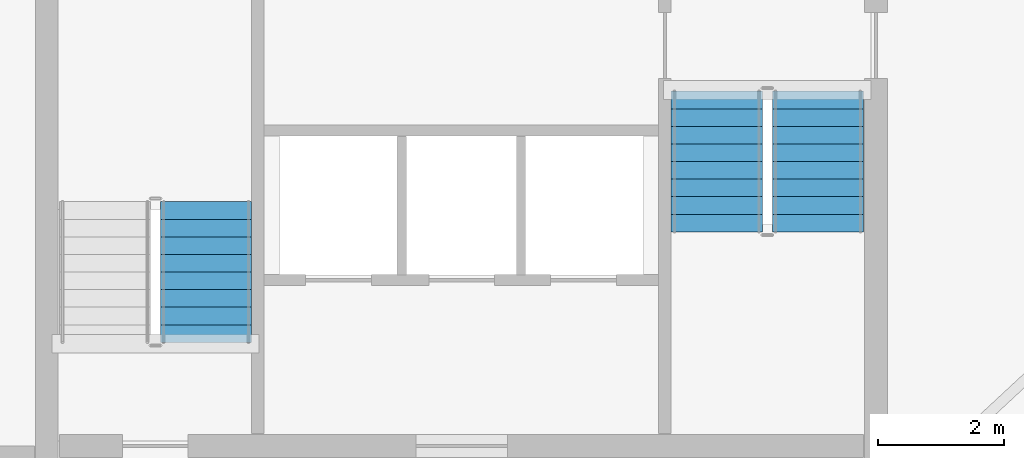
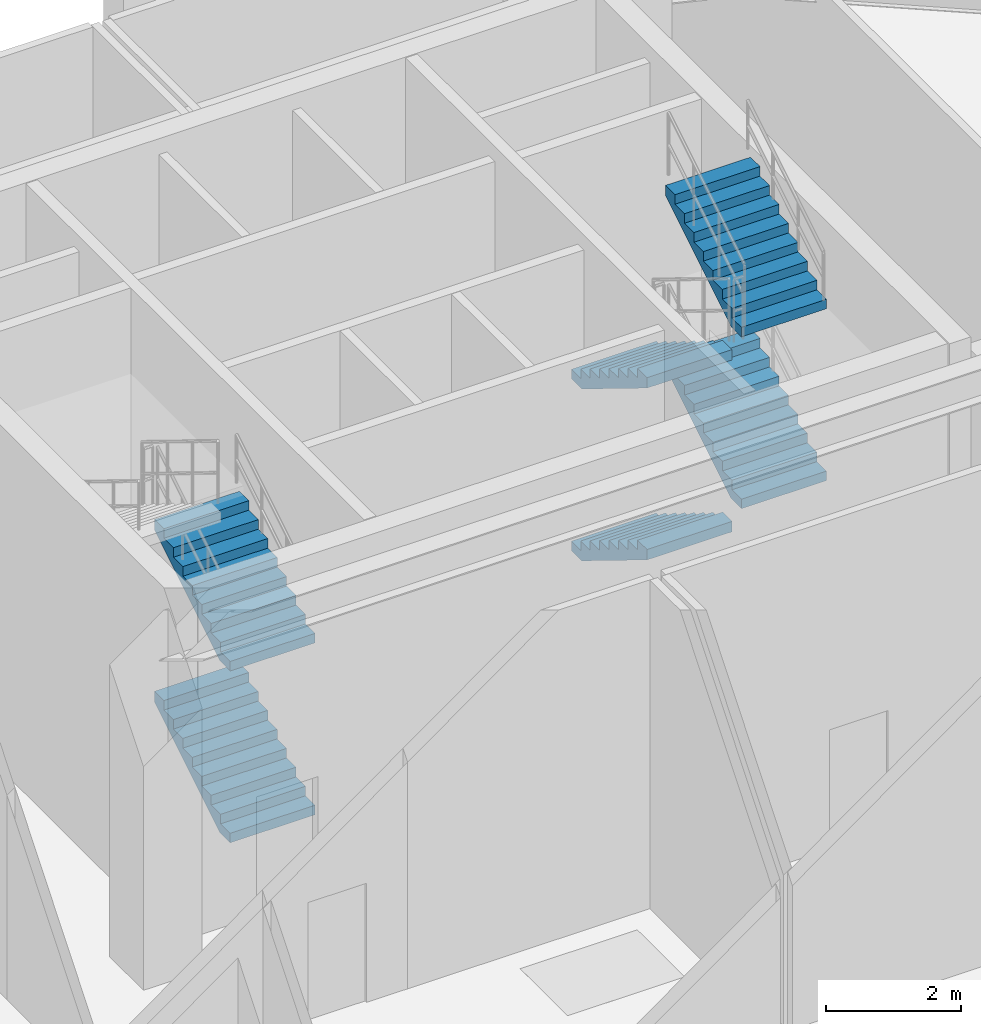
# One storey, part 4 of 7: 6 stair flights, 2 elements without a shape of their own.
"""IFC4 building model written with IfcOpenShell, lengths in metres."""

from ifc_helpers import new_model, si_unit, direction, frame, origin, place, context, subcontext, project, spatial, polyline, outline, extrude, material, layer, layer_set, type_object, element, aggregate, save


model = new_model("IFC4")

# Units and contexts
model_context = context("Model", 3, precision=1e-05, world=origin(), true_north=direction((0.0, 1.0)))
body_context = subcontext(model_context, "Body", "Model", "MODEL_VIEW")
ifc_project = project(units=[si_unit("LENGTHUNIT", "METRE"), si_unit("AREAUNIT", "SQUARE_METRE"), si_unit("VOLUMEUNIT", "CUBIC_METRE"), si_unit("PLANEANGLEUNIT", "RADIAN"), si_unit("MASSUNIT", "GRAM", prefix="KILO")], contexts=[model_context])

# Site, building, storey
site_placement = place(None, origin())
site = spatial("IfcSite", under=ifc_project, at=site_placement, CompositionType="ELEMENT")
building_placement = place(site_placement, origin())
building = spatial("IfcBuilding", under=site, at=building_placement, Name="Talar Marvaseh", CompositionType="ELEMENT")
storey_placement = place(building_placement, frame((0.0, 0.0, 202.0)))
storey = spatial("IfcBuildingStorey", under=building, at=storey_placement, Name="L53", CompositionType="ELEMENT", Elevation=202.0)

# Stair, stair flights
ifc_material = material(Name="Concrete C40/50", Category="concrete")
stair_type = type_object("IfcStairType", Name="Reinforced Concrete High-Rise Exit Stair Type C", PredefinedType="HALF_TURN_STAIR", material=ifc_material)
stair_1_placement = place(storey_placement, origin())
stair_1 = element("IfcStair", 1, at=stair_1_placement, inside=storey, type_object=stair_type, Name="L53 Tower West Core Exit Stair", PredefinedType="HALF_TURN_STAIR")
ifc_layer = layer(ifc_material, 0.159912109375)
ifc_layer_set = layer_set([ifc_layer], Name="Concrete C40/50")
stair_flight_type = type_object("IfcStairFlightType", Name="Reinforced Concrete Straight Stair Flight 160", PredefinedType="STRAIGHT", material=ifc_layer_set)
stair_flight_1_placement = place(storey_placement, frame((21.93505859375, 27.64990234375, 0.0), z_axis=(0.0, 0.0, 1.0), x_axis=(0.0, 1.0, 0.0)))
stair_flight_1 = element("IfcStairFlight", 2, at=stair_flight_1_placement, type_object=stair_flight_type, Name="ST-1 flight 1", NumberOfRisers=9, NumberOfTreads=8, PredefinedType="STRAIGHT", RiserHeight=0.172222222, TreadLength=0.28, context=body_context, shape_type="SweptSolid", body=[
    extrude(outline(polyline([(0.0, 0.0), (0.0, 0.172119140625), (0.280029296875, 0.172119140625), (0.280029296875, 0.344482421875), (0.56005859375, 0.344482421875), (0.56005859375, 0.5166015625), (0.840087890625, 0.5166015625), (0.840087890625, 0.68896484375), (1.1201171875, 0.68896484375), (1.1201171875, 0.861083984375), (1.39990234375, 0.861083984375), (1.39990234375, 1.033447265625), (1.679931640625, 1.033447265625), (1.679931640625, 1.20556640625), (1.9599609375, 1.20556640625), (1.9599609375, 1.377685546875), (2.239990234375, 1.377685546875), (2.239990234375, 1.550048828125), (2.239990234375, 1.18994140625), (0.30517578125, 0.0), (0.0, 0.0)])), frame((0.0, 0.72509765625, 0.0), z_axis=(0.0, -1.0, 0.0), x_axis=(1.0, 0.0, 0.0)), (0.0, 0.0, 1.0), 1.449951171875),
])
stair_flight_2_placement = place(storey_placement, frame((21.93505859375, 27.64990234375, 3.10009765625), z_axis=(0.0, 0.0, 1.0), x_axis=(0.0, 1.0, 0.0)))
stair_flight_2 = element("IfcStairFlight", 3, at=stair_flight_2_placement, type_object=stair_flight_type, Name="ST-1 flight 3", NumberOfRisers=9, NumberOfTreads=8, PredefinedType="STRAIGHT", RiserHeight=0.172222222, TreadLength=0.28, context=body_context, shape_type="SweptSolid", body=[
    extrude(outline(polyline([(0.0, 0.0), (0.0, 0.172119140625), (0.280029296875, 0.172119140625), (0.280029296875, 0.344482421875), (0.56005859375, 0.344482421875), (0.56005859375, 0.5166015625), (0.840087890625, 0.5166015625), (0.840087890625, 0.68896484375), (1.1201171875, 0.68896484375), (1.1201171875, 0.861083984375), (1.39990234375, 0.861083984375), (1.39990234375, 1.033447265625), (1.679931640625, 1.033447265625), (1.679931640625, 1.20556640625), (1.9599609375, 1.20556640625), (1.9599609375, 1.377685546875), (2.239990234375, 1.377685546875), (2.239990234375, 1.550048828125), (2.239990234375, 1.18994140625), (0.30517578125, 0.0), (0.0, 0.0)])), frame((0.0, 0.72509765625, 0.0), z_axis=(0.0, -1.0, 0.0), x_axis=(1.0, 0.0, 0.0)), (0.0, 0.0, 1.0), 1.449951171875),
])
aggregate(stair_1, [stair_flight_1, stair_flight_2])

stair_2_placement = place(storey_placement, origin())
stair_2 = element("IfcStair", 4, at=stair_2_placement, inside=storey, type_object=stair_type, Name="L53 Tower East Core Exit Stair", PredefinedType="HALF_TURN_STAIR")
stair_flight_3_placement = place(storey_placement, frame((30.06494140625, 31.64990234375, 0.0), z_axis=(0.0, 0.0, 1.0), x_axis=(0.0, -1.0, 0.0)))
stair_flight_3 = element("IfcStairFlight", 5, at=stair_flight_3_placement, type_object=stair_flight_type, Name="ST-2 flight 1", NumberOfRisers=9, NumberOfTreads=8, PredefinedType="STRAIGHT", RiserHeight=0.172222222, TreadLength=0.28, context=body_context, shape_type="SweptSolid", body=[
    extrude(outline(polyline([(0.0, 0.0), (0.0, 0.172119140625), (0.280029296875, 0.172119140625), (0.280029296875, 0.344482421875), (0.56005859375, 0.344482421875), (0.56005859375, 0.5166015625), (0.840087890625, 0.5166015625), (0.840087890625, 0.68896484375), (1.1201171875, 0.68896484375), (1.1201171875, 0.861083984375), (1.39990234375, 0.861083984375), (1.39990234375, 1.033447265625), (1.679931640625, 1.033447265625), (1.679931640625, 1.20556640625), (1.9599609375, 1.20556640625), (1.9599609375, 1.377685546875), (2.239990234375, 1.377685546875), (2.239990234375, 1.550048828125), (2.239990234375, 1.18994140625), (0.30517578125, 0.0), (0.0, 0.0)])), frame((0.0, 0.72509765625, 0.0), z_axis=(0.0, -1.0, 0.0), x_axis=(1.0, 0.0, 0.0)), (0.0, 0.0, 1.0), 1.449951171875),
])
stair_flight_4_placement = place(storey_placement, frame((31.675048828125, 29.409912109375, 1.550048828125), z_axis=(0.0, 0.0, 1.0), x_axis=(0.0, 1.0, 0.0)))
stair_flight_4 = element("IfcStairFlight", 6, at=stair_flight_4_placement, type_object=stair_flight_type, Name="ST-2 flight 2", NumberOfRisers=9, NumberOfTreads=8, PredefinedType="STRAIGHT", RiserHeight=0.172222222, TreadLength=0.28, context=body_context, shape_type="SweptSolid", body=[
    extrude(outline(polyline([(0.0, 0.0), (0.0, 0.172119140625), (0.280029296875, 0.172119140625), (0.280029296875, 0.344482421875), (0.56005859375, 0.344482421875), (0.56005859375, 0.5166015625), (0.840087890625, 0.5166015625), (0.840087890625, 0.68896484375), (1.1201171875, 0.68896484375), (1.1201171875, 0.861083984375), (1.39990234375, 0.861083984375), (1.39990234375, 1.033447265625), (1.679931640625, 1.033447265625), (1.679931640625, 1.20556640625), (1.9599609375, 1.20556640625), (1.9599609375, 1.377685546875), (2.239990234375, 1.377685546875), (2.239990234375, 1.550048828125), (2.239990234375, 1.18994140625), (0.30517578125, 0.0), (0.0, 0.0)])), frame((0.0, 0.72509765625, 0.0), z_axis=(0.0, -1.0, 0.0), x_axis=(1.0, 0.0, 0.0)), (0.0, 0.0, 1.0), 1.449951171875),
])
stair_flight_5_placement = place(storey_placement, frame((30.06494140625, 31.64990234375, 3.10009765625), z_axis=(0.0, 0.0, 1.0), x_axis=(0.0, -1.0, 0.0)))
stair_flight_5 = element("IfcStairFlight", 7, at=stair_flight_5_placement, type_object=stair_flight_type, Name="ST-2 flight 3", NumberOfRisers=9, NumberOfTreads=8, PredefinedType="STRAIGHT", RiserHeight=0.172222222, TreadLength=0.28, context=body_context, shape_type="SweptSolid", body=[
    extrude(outline(polyline([(0.0, 0.0), (0.0, 0.172119140625), (0.280029296875, 0.172119140625), (0.280029296875, 0.344482421875), (0.56005859375, 0.344482421875), (0.56005859375, 0.5166015625), (0.840087890625, 0.5166015625), (0.840087890625, 0.68896484375), (1.1201171875, 0.68896484375), (1.1201171875, 0.861083984375), (1.39990234375, 0.861083984375), (1.39990234375, 1.033447265625), (1.679931640625, 1.033447265625), (1.679931640625, 1.20556640625), (1.9599609375, 1.20556640625), (1.9599609375, 1.377685546875), (2.239990234375, 1.377685546875), (2.239990234375, 1.550048828125), (2.239990234375, 1.18994140625), (0.30517578125, 0.0), (0.0, 0.0)])), frame((0.0, 0.72509765625, 0.0), z_axis=(0.0, -1.0, 0.0), x_axis=(1.0, 0.0, 0.0)), (0.0, 0.0, 1.0), 1.449951171875),
])
stair_flight_6_placement = place(storey_placement, frame((31.675048828125, 29.409912109375, 4.64990234375), z_axis=(0.0, 0.0, 1.0), x_axis=(0.0, 1.0, 0.0)))
stair_flight_6 = element("IfcStairFlight", 8, at=stair_flight_6_placement, type_object=stair_flight_type, Name="ST-2 flight 4", NumberOfRisers=9, NumberOfTreads=8, PredefinedType="STRAIGHT", RiserHeight=0.172222222, TreadLength=0.28, context=body_context, shape_type="SweptSolid", body=[
    extrude(outline(polyline([(0.0, 0.0), (0.0, 0.172119140625), (0.280029296875, 0.172119140625), (0.280029296875, 0.344482421875), (0.56005859375, 0.344482421875), (0.56005859375, 0.5166015625), (0.840087890625, 0.5166015625), (0.840087890625, 0.68896484375), (1.1201171875, 0.68896484375), (1.1201171875, 0.861083984375), (1.39990234375, 0.861083984375), (1.39990234375, 1.033447265625), (1.679931640625, 1.033447265625), (1.679931640625, 1.20556640625), (1.9599609375, 1.20556640625), (1.9599609375, 1.377685546875), (2.239990234375, 1.377685546875), (2.239990234375, 1.550048828125), (2.239990234375, 1.18994140625), (0.30517578125, 0.0), (0.0, 0.0)])), frame((0.0, 0.72509765625, 0.0), z_axis=(0.0, -1.0, 0.0), x_axis=(1.0, 0.0, 0.0)), (0.0, 0.0, 1.0), 1.449951171875),
])
aggregate(stair_2, [stair_flight_3, stair_flight_4, stair_flight_5, stair_flight_6])

save(model, "model.ifc")
